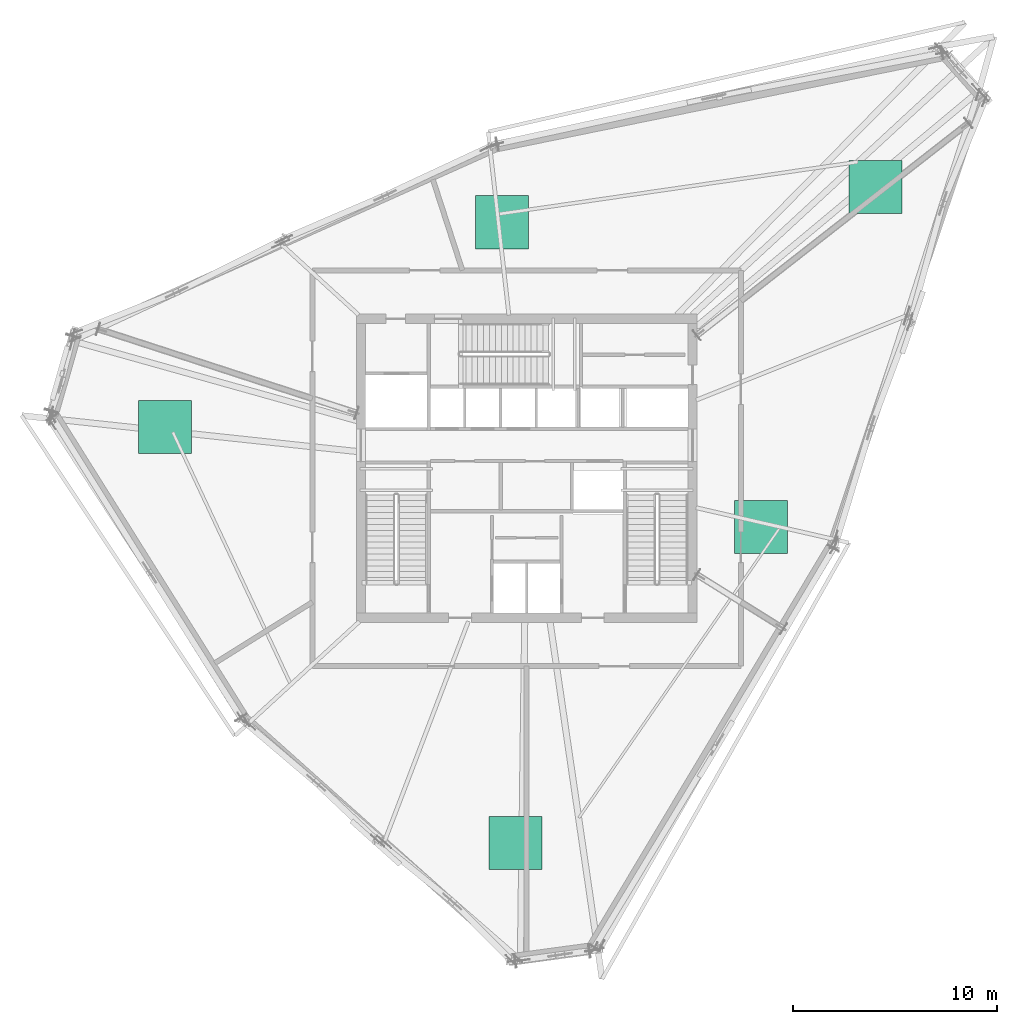
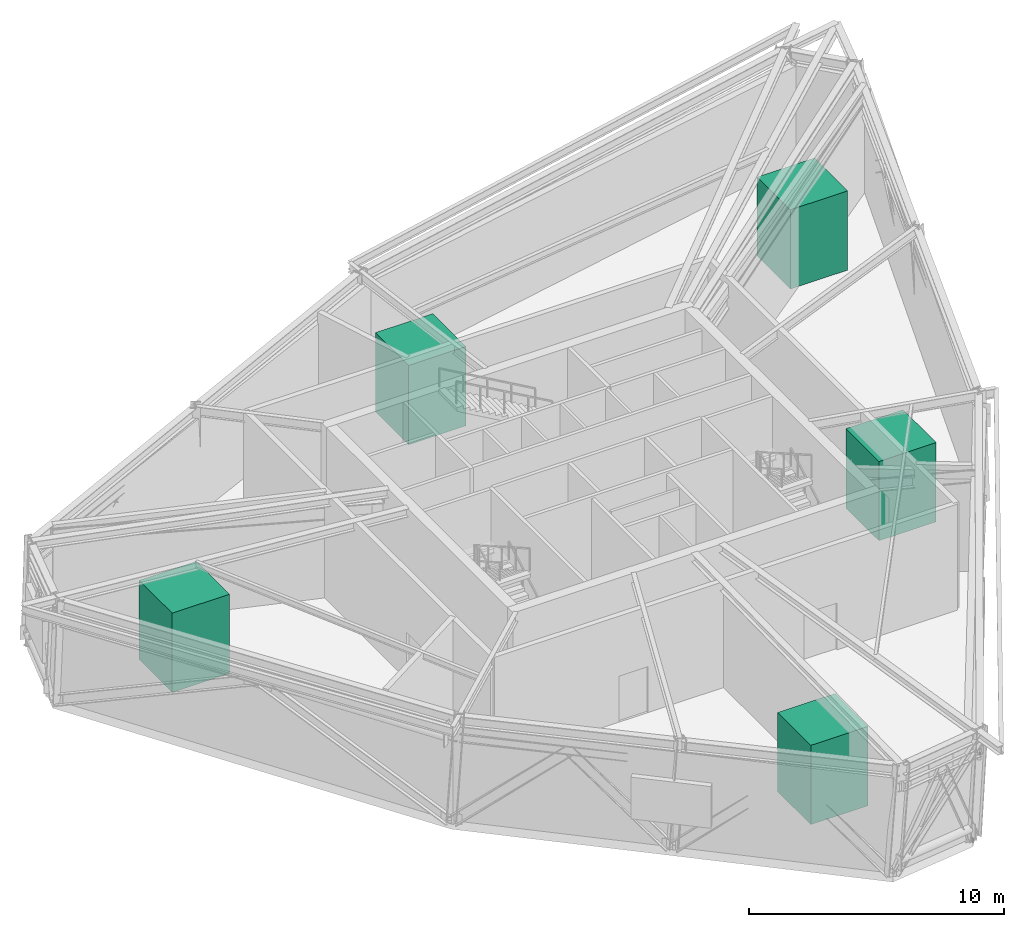
# One storey, part 15 of 15: 5 unitary equipment elements.
"""IFC4 building model written with IfcOpenShell, lengths in metres."""

from ifc_helpers import new_model, si_unit, direction, frame, origin, origin_2d, place, context, subcontext, project, spatial, rectangle, extrude, source, transform, mapped, material, type_object, element, save


model = new_model("IFC4")

# Units and contexts
model_context = context("Model", 3, precision=1e-05, world=origin(), true_north=direction((0.0, 1.0)))
body_context = subcontext(model_context, "Body", "Model", "MODEL_VIEW")
ifc_project = project(units=[si_unit("LENGTHUNIT", "METRE"), si_unit("AREAUNIT", "SQUARE_METRE"), si_unit("VOLUMEUNIT", "CUBIC_METRE"), si_unit("PLANEANGLEUNIT", "RADIAN"), si_unit("MASSUNIT", "GRAM", prefix="KILO")], contexts=[model_context])

# Site, building, storey
site_placement = place(None, origin())
site = spatial("IfcSite", under=ifc_project, at=site_placement, CompositionType="ELEMENT")
building_placement = place(site_placement, origin())
building = spatial("IfcBuilding", under=site, at=building_placement, Name="Olszyna Solenne Hotel", CompositionType="ELEMENT")
storey_placement = place(building_placement, frame((0.0, 0.0, 204.300048828125)))
storey = spatial("IfcBuildingStorey", under=building, at=storey_placement, Name="L54", CompositionType="ELEMENT", Elevation=204.300048828125)

# Unitary equipment
ifc_material = material(Name="Steel S355J2", Category="steel")
unitary_equipment_type = type_object("IfcUnitaryEquipmentType", Name="EQ-WT1", PredefinedType="USERDEFINED", material=ifc_material)
shared_shape = source(origin(), body_context, "Body", "SweptSolid", [
    extrude(rectangle(XDim=2.60009765625, YDim=2.60009765625, at=origin_2d()), origin(), (0.0, 0.0, 1.0), 3.800048828125),
])
for number, where, z_axis, x_axis, name in (
    (1, (55.09375, 40.3896484375, 0.0), (0.0, 0.0, 1.0), (1.0, 0.0, 0.0), "Shrouded vertical-axis wind turbine WTB-54-01"),
    (2, (36.783935546875, 38.654541015625, 0.0), (0.0, 0.0, 1.0), (1.0, 0.0, 0.0), "Shrouded vertical-axis wind turbine WTB-54-02"),
    (3, (20.26806640625, 28.611572265625, 0.0), (0.0, 0.0, 1.0), (1.0, 0.0, 0.0), "Shrouded vertical-axis wind turbine WTB-54-03"),
    (4, (37.456787109375, 8.236328125, 0.0), (0.0, 0.0, 1.0), (1.0, 0.0, 0.0), "Shrouded vertical-axis wind turbine WTB-54-04"),
    (5, (49.487548828125, 23.7265625, 0.0), (0.0, 0.0, 1.0), (1.0, 0.0, 0.0), "Shrouded vertical-axis wind turbine WTB-54-05"),
):
    element("IfcUnitaryEquipment", number, at=place(storey_placement, frame(where, z_axis=z_axis, x_axis=x_axis)), inside=storey, type_object=unitary_equipment_type, Name=name, ObjectType="WIND TURBINE", PredefinedType="USERDEFINED", context=body_context, shape_type="MappedRepresentation", body=[
        mapped(shared_shape, transform((0.0, 0.0, 0.0), x_axis=(1.0, 0.0, 0.0), y_axis=(0.0, 1.0, 0.0), z_axis=(0.0, 0.0, 1.0), scale=1.0)),
    ])

save(model, "model.ifc")
